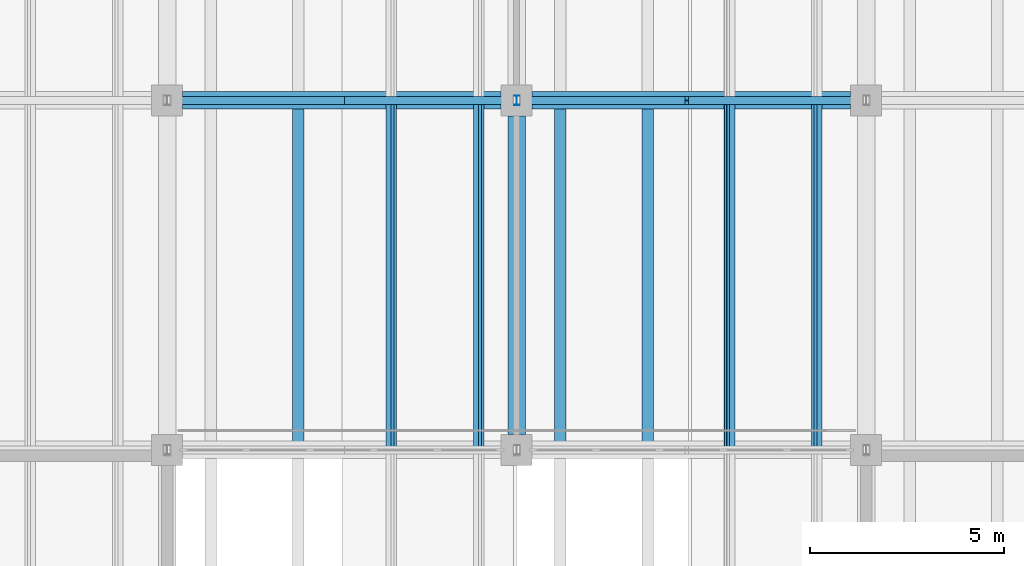
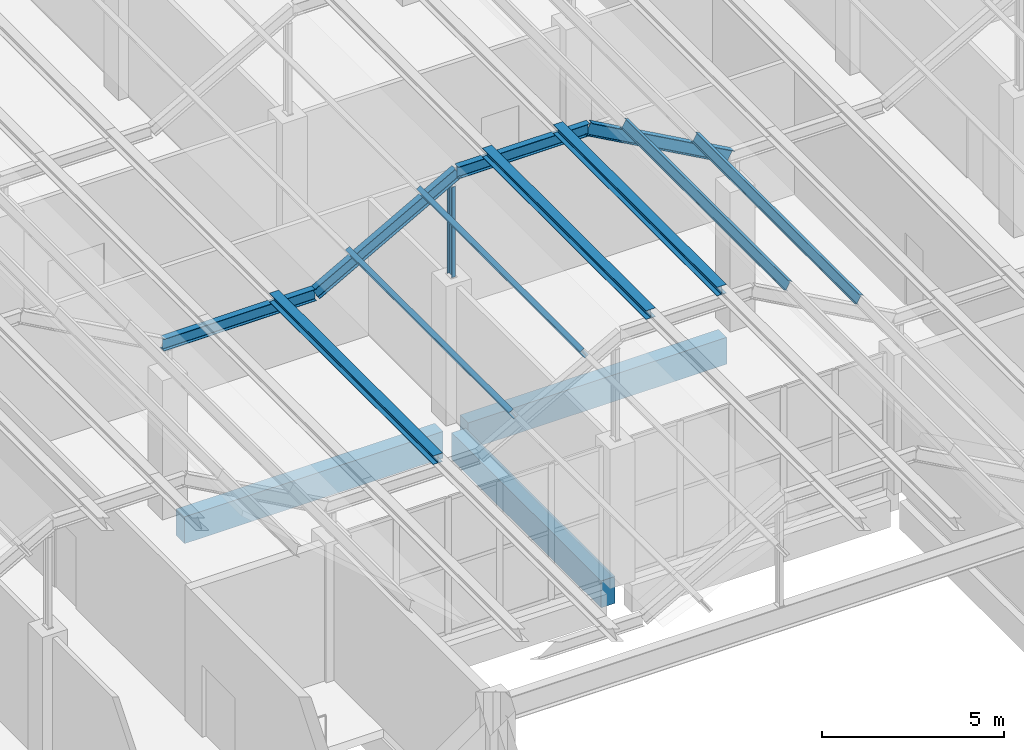
# One storey, part 38 of 437: 12 members, 3 beams.
"""IFC4 building model written with IfcOpenShell, lengths in metres."""

from ifc_helpers import new_model, si_unit, direction, frame, origin, origin_2d, place, context, subcontext, project, spatial, rectangle, i_section, extrude, material, material_profile, profile_set, type_object, element, save


model = new_model("IFC4")

# Units and contexts
model_context = context("Model", 3, precision=1e-05, world=origin(), true_north=direction((0.0, 1.0)))
body_context = subcontext(model_context, "Body", "Model", "MODEL_VIEW")
ifc_project = project(units=[si_unit("LENGTHUNIT", "METRE"), si_unit("AREAUNIT", "SQUARE_METRE"), si_unit("VOLUMEUNIT", "CUBIC_METRE"), si_unit("PLANEANGLEUNIT", "RADIAN"), si_unit("MASSUNIT", "GRAM", prefix="KILO")], contexts=[model_context])

# Site, building, storey
site_placement = place(None, origin())
site = spatial("IfcSite", under=ifc_project, at=site_placement, CompositionType="ELEMENT")
building_placement = place(site_placement, origin())
building = spatial("IfcBuilding", under=site, at=building_placement, Name="Opaline Strait Convention Centre", CompositionType="ELEMENT")
storey_placement = place(building_placement, frame((0.0, 0.0, 11.5)))
storey = spatial("IfcBuildingStorey", under=building, at=storey_placement, Name="L02", CompositionType="ELEMENT", Elevation=11.5)

# Members
ifc_material_1 = material(Name="Steel Q355B", Category="steel")
ifc_material_profile_1 = material_profile(ifc_material_1, i_section(OverallWidth=0.300048828125, OverallDepth=0.300048828125, WebThickness=0.010009765625, FlangeThickness=0.014892578125, FilletRadius=0.012939453125, at=origin_2d()), Name="HW 300x300x10x15")
ifc_profile_set_1 = profile_set([ifc_material_profile_1], Name="Steel Q355B")
member_type_1 = type_object("IfcMemberType", Name="Crest purlin HW 300x300x10x15", PredefinedType="PURLIN", material=ifc_profile_set_1)
for number, where, z_axis, x_axis, name in (
    (1, (39.375, 63.0, 5.949951171875), (0.0, 1.0, 0.0), (-1.0, 0.0, 0.0), "RU1 purlin facet 7 line 2"),
    (2, (46.125, 63.0, 8.449951171875), (0.0, 1.0, 0.0), (-1.0, 0.0, 0.0), "RU1 purlin facet 9 line 1"),
    (3, (48.375, 63.0, 8.449951171875), (0.0, 1.0, 0.0), (-1.0, 0.0, 0.0), "RU1 purlin facet 9 line 2"),
):
    element("IfcMember", number, at=place(storey_placement, frame(where, z_axis=z_axis, x_axis=x_axis)), inside=storey, type_object=member_type_1, Name=name, PredefinedType="PURLIN", context=body_context, shape_type="SweptSolid", body=[
        extrude(i_section(OverallWidth=0.300048828125, OverallDepth=0.300048828125, WebThickness=0.010009765625, FlangeThickness=0.014892578125, FilletRadius=0.012939453125, at=origin_2d()), origin(), (0.0, 0.0, 1.0), 9.0),
    ])

# Beams
ifc_material_2 = material(Name="Concrete C35", Category="concrete")
ifc_material_profile_2 = material_profile(ifc_material_2, rectangle(XDim=0.449951171875, YDim=0.89990234375, at=origin_2d()), Name="RC 450x900")
ifc_profile_set_2 = profile_set([ifc_material_profile_2], Name="Concrete C35")
beam_type = type_object("IfcBeamType", Name="RC beam 450x900 C35", PredefinedType="BEAM", material=ifc_profile_set_2)
for number, where, z_axis, x_axis, name in (
    (4, (36.39990234375, 72.0, -0.72998046875), (1.0, 0.0, 0.0), (0.0, 1.0, 0.0), "XB1 L02 36/72-45/72"),
    (5, (45.39990234375, 72.0, -0.72998046875), (1.0, 0.0, 0.0), (0.0, 1.0, 0.0), "XB1 L02 45/72-54/72"),
    (6, (45.0, 63.39990234375, -0.72998046875), (0.0, 1.0, 0.0), (-1.0, 0.0, 0.0), "XB1 L02 45/63-45/72"),
):
    element("IfcBeam", number, at=place(storey_placement, frame(where, z_axis=z_axis, x_axis=x_axis)), inside=storey, type_object=beam_type, Name=name, PredefinedType="BEAM", context=body_context, shape_type="SweptSolid", body=[
        extrude(rectangle(XDim=0.449951171875, YDim=0.89990234375, at=origin_2d()), origin(), (0.0, 0.0, 1.0), 8.2001953125),
    ])

# Members
ifc_material_profile_3 = material_profile(ifc_material_1, i_section(OverallWidth=0.125, OverallDepth=0.25, WebThickness=0.006103515625, FlangeThickness=0.009033203125, FilletRadius=0.008056640625, at=origin_2d()), Name="HN 250x125x6x9")
ifc_profile_set_3 = profile_set([ifc_material_profile_3], Name="Steel Q355B")
member_type_2 = type_object("IfcMemberType", Name="Roof post HN 250x125x6x9", PredefinedType="STRUT", material=ifc_profile_set_3)
member_1_placement = place(storey_placement, frame((45.0, 72.0, 4.68994140625), z_axis=(0.0, 0.0, 1.0), x_axis=(1.0, 0.0, 0.0)))
element("IfcMember", 7, at=member_1_placement, inside=storey, type_object=member_type_2, Name="RP1 roof post at 45/72", PredefinedType="STRUT", context=body_context, shape_type="SweptSolid", body=[
    extrude(i_section(OverallWidth=0.125, OverallDepth=0.25, WebThickness=0.006103515625, FlangeThickness=0.009033203125, FilletRadius=0.008056640625, at=origin_2d()), origin(), (0.0, 0.0, 1.0), 3.031005859375),
])
ifc_material_profile_4 = material_profile(ifc_material_1, i_section(OverallWidth=0.14990234375, OverallDepth=0.300048828125, WebThickness=0.006591796875, FlangeThickness=0.009033203125, FilletRadius=0.012939453125, at=origin_2d()), Name="HN 300x150x6.5x9")
ifc_profile_set_4 = profile_set([ifc_material_profile_4], Name="Steel Q355B")
member_type_3 = type_object("IfcMemberType", Name="Roof purlin HN 300x150x6.5x9", PredefinedType="PURLIN", material=ifc_profile_set_4)
for number, where, z_axis, x_axis, name in (
    (8, (41.770751953125, 63.0, 6.61279296875), (0.0, 1.0, 0.0), (-0.874157310866, 0.0, -0.485642868639), "RU1 purlin facet 8 line 1"),
    (9, (44.020751953125, 63.0, 7.86279296875), (0.0, 1.0, 0.0), (-0.874157310866, 0.0, -0.485642868639), "RU1 purlin facet 8 line 2"),
    (10, (50.479248046875, 63.0, 7.86279296875), (0.0, 1.0, 0.0), (-0.874157310866, 0.0, 0.485642868639), "RU1 purlin facet 10 line 1"),
    (11, (52.729248046875, 63.0, 6.61279296875), (0.0, 1.0, 0.0), (-0.874157310866, 0.0, 0.485642868639), "RU1 purlin facet 10 line 2"),
):
    element("IfcMember", number, at=place(storey_placement, frame(where, z_axis=z_axis, x_axis=x_axis)), inside=storey, type_object=member_type_3, Name=name, PredefinedType="PURLIN", context=body_context, shape_type="SweptSolid", body=[
        extrude(i_section(OverallWidth=0.14990234375, OverallDepth=0.300048828125, WebThickness=0.006591796875, FlangeThickness=0.009033203125, FilletRadius=0.012939453125, at=origin_2d()), origin(), (0.0, 0.0, 1.0), 9.0),
    ])
ifc_material_profile_5 = material_profile(ifc_material_1, i_section(OverallWidth=0.199951171875, OverallDepth=0.39990234375, WebThickness=0.008056640625, FlangeThickness=0.012939453125, FilletRadius=0.012939453125, at=origin_2d()), Name="HN 400x200x8x13")
ifc_profile_set_5 = profile_set([ifc_material_profile_5], Name="Steel Q355B")
member_type_4 = type_object("IfcMemberType", Name="Roof rafter HN 400x200x8x13", PredefinedType="RAFTER", material=ifc_profile_set_5)
member_2_placement = place(storey_placement, frame((35.83154296875, 72.0, 5.60009765625), z_axis=(1.0, 0.0, 0.0), x_axis=(0.0, 1.0, 0.0)))
element("IfcMember", 12, at=member_2_placement, inside=storey, type_object=member_type_4, Name="RR1 rafter line 8 facet 8", PredefinedType="RAFTER", context=body_context, shape_type="SweptSolid", body=[
    extrude(i_section(OverallWidth=0.199951171875, OverallDepth=0.39990234375, WebThickness=0.008056640625, FlangeThickness=0.012939453125, FilletRadius=0.012939453125, at=origin_2d()), origin(), (0.0, 0.0, 1.0), 4.8369140625),
])
member_3_placement = place(storey_placement, frame((40.66845703125, 72.0, 5.60009765625), z_axis=(0.874157276122, 0.0, 0.485642931179), x_axis=(0.0, 1.0, 0.0)))
element("IfcMember", 13, at=member_3_placement, inside=storey, type_object=member_type_4, Name="RR1 rafter line 8 facet 9", PredefinedType="RAFTER", context=body_context, shape_type="SweptSolid", body=[
    extrude(i_section(OverallWidth=0.199951171875, OverallDepth=0.39990234375, WebThickness=0.008056640625, FlangeThickness=0.012939453125, FilletRadius=0.012939453125, at=origin_2d()), origin(), (0.0, 0.0, 1.0), 5.147705078125),
])
member_4_placement = place(storey_placement, frame((45.16845703125, 72.0, 8.10009765625), z_axis=(1.0, 0.0, 0.0), x_axis=(0.0, 1.0, 0.0)))
element("IfcMember", 14, at=member_4_placement, inside=storey, type_object=member_type_4, Name="RR1 rafter line 8 facet 10", PredefinedType="RAFTER", context=body_context, shape_type="SweptSolid", body=[
    extrude(i_section(OverallWidth=0.199951171875, OverallDepth=0.39990234375, WebThickness=0.008056640625, FlangeThickness=0.012939453125, FilletRadius=0.012939453125, at=origin_2d()), origin(), (0.0, 0.0, 1.0), 4.1630859375),
])
member_5_placement = place(storey_placement, frame((49.33154296875, 72.0, 8.10009765625), z_axis=(0.874157276122, 0.0, -0.485642931179), x_axis=(0.0, 1.0, 0.0)))
element("IfcMember", 15, at=member_5_placement, inside=storey, type_object=member_type_4, Name="RR1 rafter line 8 facet 11", PredefinedType="RAFTER", context=body_context, shape_type="SweptSolid", body=[
    extrude(i_section(OverallWidth=0.199951171875, OverallDepth=0.39990234375, WebThickness=0.008056640625, FlangeThickness=0.012939453125, FilletRadius=0.012939453125, at=origin_2d()), origin(), (0.0, 0.0, 1.0), 5.147705078125),
])

save(model, "model.ifc")
